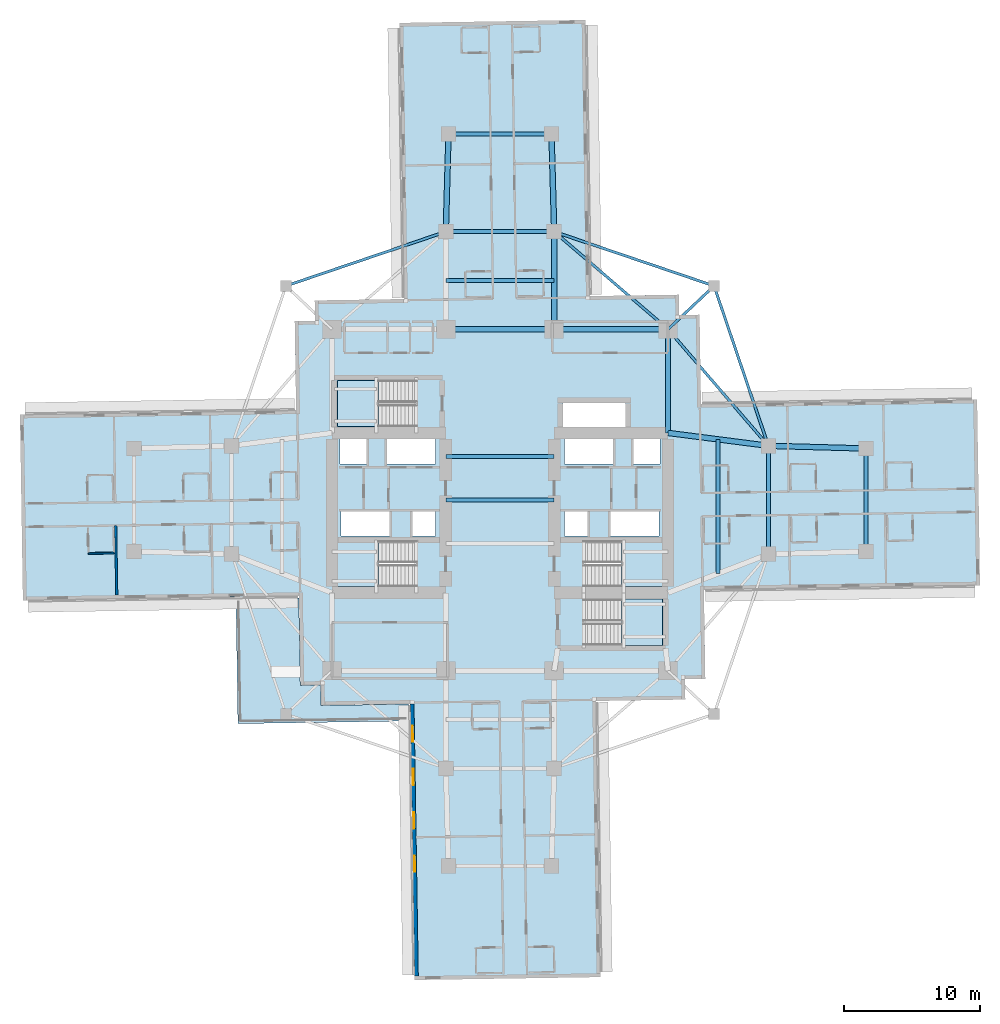
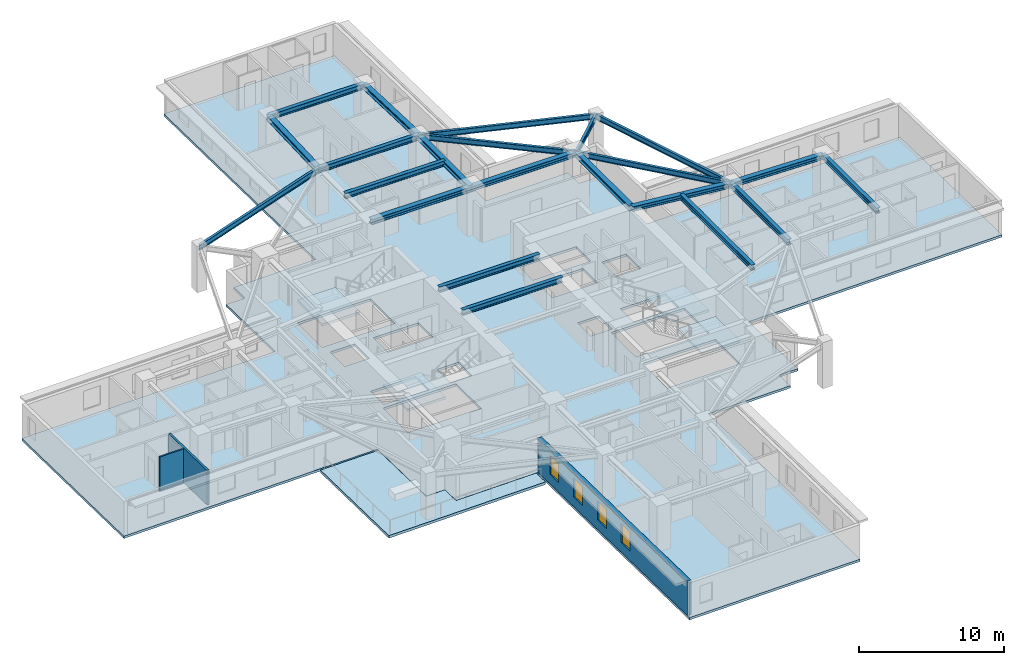
# One storey, part 2 of 14: 22 beams, 6 slabs, 4 windows, 3 walls, 4 openings, 4 elements without a shape of their own.
"""IFC4 building model written with IfcOpenShell, lengths in metres."""

from ifc_helpers import new_model, si_unit, direction, frame, frame_2d, origin, origin_2d, place, context, subcontext, project, spatial, polyline, rectangle, i_section, outline, extrude, material, layer, layer_set, material_profile, profile_set, type_object, element, fill, aggregate, save


model = new_model("IFC4")

# Units and contexts
model_context = context("Model", 3, precision=1e-05, world=origin(), true_north=direction((0.0, 1.0)))
body_context = subcontext(model_context, "Body", "Model", "MODEL_VIEW")
ifc_project = project(units=[si_unit("LENGTHUNIT", "METRE"), si_unit("AREAUNIT", "SQUARE_METRE"), si_unit("VOLUMEUNIT", "CUBIC_METRE"), si_unit("PLANEANGLEUNIT", "RADIAN"), si_unit("MASSUNIT", "GRAM", prefix="KILO")], contexts=[model_context])

# Site, building, storey
site_placement = place(None, origin())
site = spatial("IfcSite", under=ifc_project, at=site_placement, CompositionType="ELEMENT")
building_placement = place(site_placement, origin())
building = spatial("IfcBuilding", under=site, at=building_placement, Name="Qingluan Cross Belvedere", CompositionType="ELEMENT")
storey_placement = place(building_placement, frame((0.0, 0.0, 60.0)))
storey = spatial("IfcBuildingStorey", under=building, at=storey_placement, Name="L15", CompositionType="ELEMENT", Elevation=60.0)

# Beams
ifc_material_1 = material(Name="Steel Q420GJB", Category="steel")
ifc_material_profile_1 = material_profile(ifc_material_1, i_section(OverallWidth=0.300048828125, OverallDepth=0.43994140625, WebThickness=0.010986328125, FlangeThickness=0.01806640625, FilletRadius=0.02001953125, at=origin_2d()), Name="HM440x300x11x18")
ifc_profile_set_1 = profile_set([ifc_material_profile_1], Name="Steel Q420GJB")
beam_type_1 = type_object("IfcBeamType", Name="Steel_Beam_HM440x300x11x18", PredefinedType="BEAM", material=ifc_profile_set_1)
for number, where, z_axis, x_axis, name in (
    (1, (-4.0, 0.0, 3.47998046875), (1.0, 0.0, 0.0), (0.0, 1.0, 0.0), "Hall beam L15-CH2"),
    (2, (-4.0, 3.199951171875, 3.47998046875), (1.0, 0.0, 0.0), (0.0, 1.0, 0.0), "Hall beam L15-CH3"),
    (3, (19.800048828125, -4.0, 3.47998046875), (0.0, 1.0, 0.0), (-1.0, 0.0, 0.0), "Arm E tie L15"),
):
    element("IfcBeam", number, at=place(storey_placement, frame(where, z_axis=z_axis, x_axis=x_axis)), inside=storey, type_object=beam_type_1, Name=name, PredefinedType="BEAM", context=body_context, shape_type="SweptSolid", body=[
        extrude(i_section(OverallWidth=0.300048828125, OverallDepth=0.43994140625, WebThickness=0.010986328125, FlangeThickness=0.01806640625, FilletRadius=0.02001953125, at=origin_2d()), origin(), (0.0, 0.0, 1.0), 8.0),
    ])
beam_1_placement = place(storey_placement, frame((16.10009765625, -5.425048828125, 3.47998046875), z_axis=(0.0, 1.0, 0.0), x_axis=(-1.0, 0.0, 0.0)))
element("IfcBeam", 4, at=beam_1_placement, inside=storey, type_object=beam_type_1, Name="Arm E beam L15", PredefinedType="BEAM", context=body_context, shape_type="SweptSolid", body=[
    extrude(i_section(OverallWidth=0.300048828125, OverallDepth=0.43994140625, WebThickness=0.010986328125, FlangeThickness=0.01806640625, FilletRadius=0.02001953125, at=origin_2d()), origin(), (0.0, 0.0, 1.0), 9.900146484375),
])
beam_2_placement = place(storey_placement, frame((27.0, -3.800048828125, 3.47998046875), z_axis=(0.0, 1.0, 0.0), x_axis=(-1.0, 0.0, 0.0)))
element("IfcBeam", 5, at=beam_2_placement, inside=storey, type_object=beam_type_1, Name="Arm E tip transverse beam L15", PredefinedType="BEAM", context=body_context, shape_type="SweptSolid", body=[
    extrude(i_section(OverallWidth=0.300048828125, OverallDepth=0.43994140625, WebThickness=0.010986328125, FlangeThickness=0.01806640625, FilletRadius=0.02001953125, at=origin_2d()), origin(), (0.0, 0.0, 1.0), 7.60009765625),
])
for number, where, z_axis, x_axis, name in (
    (6, (-4.0, 19.800048828125, 3.47998046875), (1.0, 0.0, 0.0), (0.0, 1.0, 0.0), "Arm N tie L15"),
    (7, (-4.0, 16.199951171875, 3.47998046875), (1.0, 0.0, 0.0), (0.0, 1.0, 0.0), "Arm N beam L15"),
):
    element("IfcBeam", number, at=place(storey_placement, frame(where, z_axis=z_axis, x_axis=x_axis)), inside=storey, type_object=beam_type_1, Name=name, PredefinedType="BEAM", context=body_context, shape_type="SweptSolid", body=[
        extrude(i_section(OverallWidth=0.300048828125, OverallDepth=0.43994140625, WebThickness=0.010986328125, FlangeThickness=0.01806640625, FilletRadius=0.02001953125, at=origin_2d()), origin(), (0.0, 0.0, 1.0), 8.0),
    ])
beam_3_placement = place(storey_placement, frame((-3.800048828125, 27.0, 3.47998046875), z_axis=(1.0, 0.0, 0.0), x_axis=(0.0, 1.0, 0.0)))
element("IfcBeam", 8, at=beam_3_placement, inside=storey, type_object=beam_type_1, Name="Arm N tip transverse beam L15", PredefinedType="BEAM", context=body_context, shape_type="SweptSolid", body=[
    extrude(i_section(OverallWidth=0.300048828125, OverallDepth=0.43994140625, WebThickness=0.010986328125, FlangeThickness=0.01806640625, FilletRadius=0.02001953125, at=origin_2d()), origin(), (0.0, 0.0, 1.0), 7.60009765625),
])
ifc_material_2 = material(Name="Steel Q420GJB", Category="steel")
ifc_material_profile_2 = material_profile(ifc_material_2, i_section(OverallWidth=0.199951171875, OverallDepth=0.449951171875, WebThickness=0.009033203125, FlangeThickness=0.013916015625, FilletRadius=0.01611328125, at=origin_2d()), Name="HN450x200x9x14")
ifc_profile_set_2 = profile_set([ifc_material_profile_2], Name="Steel Q420GJB")
beam_type_2 = type_object("IfcBeamType", Name="Steel_Beam_HN450x200x9x14", PredefinedType="JOIST", material=ifc_profile_set_2)
beam_4_placement = place(storey_placement, frame((12.39990234375, 12.60009765625, 3.47509765625), z_axis=(0.728219948308, 0.685343495546, 0.0), x_axis=(-0.685343495546, 0.728219948308, 0.0)))
element("IfcBeam", 9, at=beam_4_placement, inside=storey, type_object=beam_type_2, Name="Corner beam 1 L15-RNE", PredefinedType="JOIST", context=body_context, shape_type="SweptSolid", body=[
    extrude(i_section(OverallWidth=0.199951171875, OverallDepth=0.449951171875, WebThickness=0.009033203125, FlangeThickness=0.013916015625, FilletRadius=0.01611328125, at=origin_2d()), origin(), (0.0, 0.0, 1.0), 4.669189453125),
])
for number, where, z_axis, x_axis, name in (
    (10, (15.800048828125, 15.800048828125, 3.47509765625), (-0.947066283324, 0.321038089628, 0.0), (-0.321038089628, -0.947066283324, 0.0), "Corner beam 2 L15-RNE"),
    (11, (15.800048828125, 15.800048828125, 3.47509765625), (0.321038089628, -0.947066283324, 0.0), (0.947066283324, 0.321038089628, 0.0), "Corner beam 3 L15-RNE"),
):
    element("IfcBeam", number, at=place(storey_placement, frame(where, z_axis=z_axis, x_axis=x_axis)), inside=storey, type_object=beam_type_2, Name=name, PredefinedType="JOIST", context=body_context, shape_type="SweptSolid", body=[
        extrude(i_section(OverallWidth=0.199951171875, OverallDepth=0.449951171875, WebThickness=0.009033203125, FlangeThickness=0.013916015625, FilletRadius=0.01611328125, at=origin_2d()), origin(), (0.0, 0.0, 1.0), 12.45947265625),
    ])
beam_5_placement = place(storey_placement, frame((12.39990234375, 12.60009765625, 3.47509765625), z_axis=(0.652245077546, -0.75800815221, 0.0), x_axis=(0.75800815221, 0.652245077546, 0.0)))
element("IfcBeam", 12, at=beam_5_placement, inside=storey, type_object=beam_type_2, Name="Corner beam 4 L15-RNE", PredefinedType="JOIST", context=body_context, shape_type="SweptSolid", body=[
    extrude(i_section(OverallWidth=0.199951171875, OverallDepth=0.449951171875, WebThickness=0.009033203125, FlangeThickness=0.013916015625, FilletRadius=0.01611328125, at=origin_2d()), origin(), (0.0, 0.0, 1.0), 11.345703125),
])
beam_6_placement = place(storey_placement, frame((12.39990234375, 12.60009765625, 3.47509765625), z_axis=(-0.759255044656, 0.650793190779, 0.0), x_axis=(-0.650793190779, -0.759255044656, 0.0)))
element("IfcBeam", 13, at=beam_6_placement, inside=storey, type_object=beam_type_2, Name="Corner beam 5 L15-RNE", PredefinedType="JOIST", context=body_context, shape_type="SweptSolid", body=[
    extrude(i_section(OverallWidth=0.199951171875, OverallDepth=0.449951171875, WebThickness=0.009033203125, FlangeThickness=0.013916015625, FilletRadius=0.01611328125, at=origin_2d()), origin(), (0.0, 0.0, 1.0), 11.063232421875),
])
beam_7_placement = place(storey_placement, frame((-15.800048828125, 15.800048828125, 3.47509765625), z_axis=(0.947066283324, 0.321038089628, 0.0), x_axis=(-0.321038089628, 0.947066283324, 0.0)))
element("IfcBeam", 14, at=beam_7_placement, inside=storey, type_object=beam_type_2, Name="Corner beam 2 L15-RNW", PredefinedType="JOIST", context=body_context, shape_type="SweptSolid", body=[
    extrude(i_section(OverallWidth=0.199951171875, OverallDepth=0.449951171875, WebThickness=0.009033203125, FlangeThickness=0.013916015625, FilletRadius=0.01611328125, at=origin_2d()), origin(), (0.0, 0.0, 1.0), 12.45947265625),
])
ifc_material_3 = material(Name="Steel Q420GJB", Category="steel")
ifc_material_profile_3 = material_profile(ifc_material_3, i_section(OverallWidth=0.39990234375, OverallDepth=0.39990234375, WebThickness=0.012939453125, FlangeThickness=0.02099609375, FilletRadius=0.02197265625, at=origin_2d()), Name="HW400x400x13x21")
ifc_profile_set_3 = profile_set([ifc_material_profile_3], Name="Steel Q420GJB")
beam_type_3 = type_object("IfcBeamType", Name="Steel_Girder_HW400x400x13x21", PredefinedType="USERDEFINED", material=ifc_profile_set_3)
beam_8_placement = place(storey_placement, frame((-4.0, 12.60009765625, 3.5), z_axis=(1.0, 0.0, 0.0), x_axis=(0.0, 1.0, 0.0)))
element("IfcBeam", 15, at=beam_8_placement, inside=storey, type_object=beam_type_3, Name="Hub girder L15-HG-N2", ObjectType="GIRDER", PredefinedType="USERDEFINED", context=body_context, shape_type="SweptSolid", body=[
    extrude(i_section(OverallWidth=0.39990234375, OverallDepth=0.39990234375, WebThickness=0.012939453125, FlangeThickness=0.02099609375, FilletRadius=0.02197265625, at=origin_2d()), origin(), (0.0, 0.0, 1.0), 8.0),
])
beam_9_placement = place(storey_placement, frame((4.0, 12.60009765625, 3.5), z_axis=(1.0, 0.0, 0.0), x_axis=(0.0, 1.0, 0.0)))
element("IfcBeam", 16, at=beam_9_placement, inside=storey, type_object=beam_type_3, Name="Hub girder L15-HG-N3", ObjectType="GIRDER", PredefinedType="USERDEFINED", context=body_context, shape_type="SweptSolid", body=[
    extrude(i_section(OverallWidth=0.39990234375, OverallDepth=0.39990234375, WebThickness=0.012939453125, FlangeThickness=0.02099609375, FilletRadius=0.02197265625, at=origin_2d()), origin(), (0.0, 0.0, 1.0), 8.39990234375),
])
beam_10_placement = place(storey_placement, frame((12.39990234375, 4.949951171875, 3.5), z_axis=(0.0, 1.0, 0.0), x_axis=(-1.0, 0.0, 0.0)))
element("IfcBeam", 17, at=beam_10_placement, inside=storey, type_object=beam_type_3, Name="Hub girder L15-HG-E2", ObjectType="GIRDER", PredefinedType="USERDEFINED", context=body_context, shape_type="SweptSolid", body=[
    extrude(i_section(OverallWidth=0.39990234375, OverallDepth=0.39990234375, WebThickness=0.012939453125, FlangeThickness=0.02099609375, FilletRadius=0.02197265625, at=origin_2d()), origin(), (0.0, 0.0, 1.0), 7.650146484375),
])
beam_11_placement = place(storey_placement, frame((12.39990234375, 4.949951171875, 3.5), z_axis=(0.991861120628, -0.12732445714, 0.0), x_axis=(0.12732445714, 0.991861120628, 0.0)))
element("IfcBeam", 18, at=beam_11_placement, inside=storey, type_object=beam_type_3, Name="Arm E radial girder B L15", ObjectType="GIRDER", PredefinedType="USERDEFINED", context=body_context, shape_type="SweptSolid", body=[
    extrude(i_section(OverallWidth=0.39990234375, OverallDepth=0.39990234375, WebThickness=0.012939453125, FlangeThickness=0.02099609375, FilletRadius=0.02197265625, at=origin_2d()), origin(), (0.0, 0.0, 1.0), 7.4609375),
])
beam_12_placement = place(storey_placement, frame((19.800048828125, 4.0, 3.5), z_axis=(0.999614603568, -0.027760481514, 0.0), x_axis=(0.027760481514, 0.999614603568, 0.0)))
element("IfcBeam", 19, at=beam_12_placement, inside=storey, type_object=beam_type_3, Name="Arm E outer radial girder B L15", ObjectType="GIRDER", PredefinedType="USERDEFINED", context=body_context, shape_type="SweptSolid", body=[
    extrude(i_section(OverallWidth=0.39990234375, OverallDepth=0.39990234375, WebThickness=0.012939453125, FlangeThickness=0.02099609375, FilletRadius=0.02197265625, at=origin_2d()), origin(), (0.0, 0.0, 1.0), 7.20263671875),
])
beam_13_placement = place(storey_placement, frame((4.0, 12.60009765625, 3.5), z_axis=(0.0, 1.0, 0.0), x_axis=(-1.0, 0.0, 0.0)))
element("IfcBeam", 20, at=beam_13_placement, inside=storey, type_object=beam_type_3, Name="Arm N radial girder B L15", ObjectType="GIRDER", PredefinedType="USERDEFINED", context=body_context, shape_type="SweptSolid", body=[
    extrude(i_section(OverallWidth=0.39990234375, OverallDepth=0.39990234375, WebThickness=0.012939453125, FlangeThickness=0.02099609375, FilletRadius=0.02197265625, at=origin_2d()), origin(), (0.0, 0.0, 1.0), 7.199951171875),
])
for number, where, z_axis, x_axis, name in (
    (21, (-4.0, 19.800048828125, 3.5), (0.027760481514, 0.999614603568, 0.0), (-0.999614603568, 0.027760481514, 0.0), "Arm N outer radial girder A L15"),
    (22, (4.0, 19.800048828125, 3.5), (-0.027760481514, 0.999614603568, 0.0), (-0.999614603568, -0.027760481514, 0.0), "Arm N outer radial girder B L15"),
):
    element("IfcBeam", number, at=place(storey_placement, frame(where, z_axis=z_axis, x_axis=x_axis)), inside=storey, type_object=beam_type_3, Name=name, ObjectType="GIRDER", PredefinedType="USERDEFINED", context=body_context, shape_type="SweptSolid", body=[
        extrude(i_section(OverallWidth=0.39990234375, OverallDepth=0.39990234375, WebThickness=0.012939453125, FlangeThickness=0.02099609375, FilletRadius=0.02197265625, at=origin_2d()), origin(), (0.0, 0.0, 1.0), 7.20263671875),
    ])

# Slab
ifc_material_4 = material(Name="Concrete C40", Category="concrete")
ifc_layer_1 = layer(ifc_material_4, 0.199951171875, Name="FloorSlab_200")
ifc_layer_set_1 = layer_set([ifc_layer_1], Name="Concrete C40")
slab_type_1 = type_object("IfcSlabType", Name="FloorSlab_200", PredefinedType="FLOOR", material=ifc_layer_set_1)
slab_1_placement = place(storey_placement, frame((0.0, 0.0, -0.199951171875)))
element("IfcSlab", 23, at=slab_1_placement, inside=storey, type_object=slab_type_1, Name="Structural floor slab L15", PredefinedType="FLOOR", context=body_context, shape_type="SweptSolid", body=[
    extrude(outline(polyline([(7.413818359375, -35.2080078125), (7.09375, -14.830322265625), (13.673095703125, -14.72705078125), (13.6494140625, -13.227294921875), (15.1494140625, -13.20361328125), (15.0458984375, -6.62451171875), (35.42333984375, -6.304443359375), (35.2080078125, 7.413818359375), (14.830322265625, 7.09375), (14.72705078125, 13.673095703125), (13.227294921875, 13.6494140625), (13.20361328125, 15.1494140625), (6.62451171875, 15.0458984375), (6.304443359375, 35.42333984375), (-7.413818359375, 35.2080078125), (-7.09375, 14.830322265625), (-13.673095703125, 14.72705078125), (-13.6494140625, 13.227294921875), (-15.1494140625, 13.20361328125), (-15.0458984375, 6.62451171875), (-35.42333984375, 6.304443359375), (-35.2080078125, -7.413818359375), (-14.830322265625, -7.09375), (-14.72705078125, -13.673095703125), (-13.227294921875, -13.6494140625), (-13.20361328125, -15.1494140625), (-6.62451171875, -15.0458984375), (-6.304443359375, -35.42333984375), (7.413818359375, -35.2080078125)]), holes=[polyline([(-12.0, -3.0), (-6.179931640625, -3.0), (-6.179931640625, -6.39990234375), (-12.0, -6.39990234375), (-12.0, -3.0)]), polyline([(6.179931640625, -3.0), (12.0, -3.0), (12.0, -6.39990234375), (6.179931640625, -6.39990234375), (6.179931640625, -3.0)]), polyline([(-12.0, 8.820068359375), (-6.179931640625, 8.820068359375), (-6.179931640625, 5.419921875), (-12.0, 5.419921875), (-12.0, 8.820068359375)]), polyline([(6.179931640625, -7.320068359375), (12.0, -7.320068359375), (12.0, -10.719970703125), (6.179931640625, -10.719970703125), (6.179931640625, -7.320068359375)]), polyline([(-11.800048828125, 4.64990234375), (-9.85009765625, 4.64990234375), (-9.85009765625, 2.64990234375), (-11.800048828125, 2.64990234375), (-11.800048828125, 4.64990234375)]), polyline([(-8.35009765625, 4.64990234375), (-4.75, 4.64990234375), (-4.75, 2.64990234375), (-8.35009765625, 2.64990234375), (-8.35009765625, 4.64990234375)]), polyline([(4.75, 4.64990234375), (8.35009765625, 4.64990234375), (8.35009765625, 2.64990234375), (4.75, 2.64990234375), (4.75, 4.64990234375)]), polyline([(9.85009765625, 4.64990234375), (11.800048828125, 4.64990234375), (11.800048828125, 2.64990234375), (9.85009765625, 2.64990234375), (9.85009765625, 4.64990234375)]), polyline([(-11.75, -0.840087890625), (-8.14990234375, -0.840087890625), (-8.14990234375, -2.659912109375), (-11.75, -2.659912109375), (-11.75, -0.840087890625)]), polyline([(-6.449951171875, -0.840087890625), (-4.75, -0.840087890625), (-4.75, -2.659912109375), (-6.449951171875, -2.659912109375), (-6.449951171875, -0.840087890625)]), polyline([(4.75, -0.840087890625), (6.449951171875, -0.840087890625), (6.449951171875, -2.659912109375), (4.75, -2.659912109375), (4.75, -0.840087890625)]), polyline([(8.14990234375, -0.840087890625), (11.75, -0.840087890625), (11.75, -2.659912109375), (8.14990234375, -2.659912109375), (8.14990234375, -0.840087890625)]), polyline([(4.64990234375, 7.14990234375), (9.25, 7.14990234375), (9.25, 5.14990234375), (4.64990234375, 5.14990234375), (4.64990234375, 7.14990234375)])]), origin(), (0.0, 0.0, 1.0), 0.199951171875),
])

# Stair, slab
ifc_material_5 = material(Name="Concrete C40", Category="concrete")
stair_type = type_object("IfcStairType", Name="CoreDoglegStair_1620", PredefinedType="HALF_TURN_STAIR", material=ifc_material_5)
stair_1_placement = place(storey_placement, origin())
stair_1 = element("IfcStair", 24, at=stair_1_placement, inside=storey, type_object=stair_type, Name="L15 ST1", PredefinedType="HALF_TURN_STAIR")
ifc_material_6 = material(Name="Concrete C40", Category="concrete")
ifc_layer_2 = layer(ifc_material_6, 0.179931640625, Name="StairLandingSlab_180")
ifc_layer_set_2 = layer_set([ifc_layer_2], Name="Concrete C40")
slab_type_2 = type_object("IfcSlabType", Name="StairLandingSlab_180", PredefinedType="LANDING", material=ifc_layer_set_2)
slab_2_placement = place(storey_placement, frame((0.0, 0.0, 1.75)))
slab_2 = element("IfcSlab", 25, at=slab_2_placement, type_object=slab_type_2, Name="ST1 landing 1", PredefinedType="LANDING", context=body_context, shape_type="SweptSolid", body=[
    extrude(outline(polyline([(-8.97998046875, -3.0), (-12.0, -3.0), (-12.0, -6.39990234375), (-8.97998046875, -6.39990234375), (-8.97998046875, -3.0)])), origin(), (0.0, 0.0, 1.0), 0.199951171875),
])
aggregate(stair_1, [slab_2])

stair_2_placement = place(storey_placement, origin())
stair_2 = element("IfcStair", 26, at=stair_2_placement, inside=storey, type_object=stair_type, Name="L15 ST2", PredefinedType="HALF_TURN_STAIR")
slab_3_placement = place(storey_placement, frame((0.0, 0.0, 1.75)))
slab_3 = element("IfcSlab", 27, at=slab_3_placement, type_object=slab_type_2, Name="ST2 landing 1", PredefinedType="LANDING", context=body_context, shape_type="SweptSolid", body=[
    extrude(outline(polyline([(8.97998046875, -6.39990234375), (12.0, -6.39990234375), (12.0, -3.0), (8.97998046875, -3.0), (8.97998046875, -6.39990234375)])), origin(), (0.0, 0.0, 1.0), 0.199951171875),
])
aggregate(stair_2, [slab_3])

stair_3_placement = place(storey_placement, origin())
stair_3 = element("IfcStair", 28, at=stair_3_placement, inside=storey, type_object=stair_type, Name="L15 ST3", PredefinedType="HALF_TURN_STAIR")
slab_4_placement = place(storey_placement, frame((0.0, 0.0, 1.75)))
slab_4 = element("IfcSlab", 29, at=slab_4_placement, type_object=slab_type_2, Name="ST3 landing 1", PredefinedType="LANDING", context=body_context, shape_type="SweptSolid", body=[
    extrude(outline(polyline([(-8.97998046875, 8.820068359375), (-12.0, 8.820068359375), (-12.0, 5.419921875), (-8.97998046875, 5.419921875), (-8.97998046875, 8.820068359375)])), origin(), (0.0, 0.0, 1.0), 0.199951171875),
])
aggregate(stair_3, [slab_4])

stair_4_placement = place(storey_placement, origin())
stair_4 = element("IfcStair", 30, at=stair_4_placement, inside=storey, type_object=stair_type, Name="L15 ST4", PredefinedType="HALF_TURN_STAIR")
slab_5_placement = place(storey_placement, frame((0.0, 0.0, 1.75)))
slab_5 = element("IfcSlab", 31, at=slab_5_placement, type_object=slab_type_2, Name="ST4 landing 1", PredefinedType="LANDING", context=body_context, shape_type="SweptSolid", body=[
    extrude(outline(polyline([(8.97998046875, -10.719970703125), (12.0, -10.719970703125), (12.0, -7.320068359375), (8.97998046875, -7.320068359375), (8.97998046875, -10.719970703125)])), origin(), (0.0, 0.0, 1.0), 0.199951171875),
])
aggregate(stair_4, [slab_5])

# Slab
ifc_material_7 = material(Name="Concrete C40", Category="concrete")
ifc_layer_3 = layer(ifc_material_7, 0.219970703125, Name="TerraceSlab_220")
ifc_layer_set_3 = layer_set([ifc_layer_3], Name="Concrete C40")
slab_type_3 = type_object("IfcSlabType", Name="TerraceSlab_220", PredefinedType="FLOOR", material=ifc_layer_set_3)
slab_6_placement = place(storey_placement, frame((0.0, 0.0, -0.219970703125)))
element("IfcSlab", 32, at=slab_6_placement, inside=storey, type_object=slab_type_3, Name="Spiralling winter-garden terrace slab L15", PredefinedType="FLOOR", context=body_context, shape_type="SweptSolid", body=[
    extrude(outline(polyline([(-6.764404296875, -15.05810546875), (-13.208984375, -15.15771484375), (-13.237060546875, -13.65966796875), (-14.726806640625, -13.68310546875), (-14.73681640625, -13.675048828125), (-14.838134765625, -7.23388671875), (-19.487548828125, -7.306884765625), (-19.343017578125, -16.505859375), (-6.74462890625, -16.30810546875), (-6.764404296875, -15.05810546875)])), origin(), (0.0, 0.0, 1.0), 0.219970703125),
])

# Walls
ifc_material_8 = material(Name="Gypsum plasterboard on steel stud acoustic partition", Category="steel")
ifc_layer_4 = layer(ifc_material_8, 0.159912109375, Name="CorridorPartition_160")
ifc_layer_set_4 = layer_set([ifc_layer_4], Name="Gypsum plasterboard on steel stud acoustic partition")
wall_type_1 = type_object("IfcWallType", Name="CorridorPartition_160", PredefinedType="PARTITIONING", material=ifc_layer_set_4)
wall_1_placement = place(storey_placement, frame((-28.364013671875, -1.8857421875, 0.0), z_axis=(0.0, 0.0, 1.0), x_axis=(0.015746453592, -0.999876016914, 0.0)))
element("IfcWall", 33, at=wall_1_placement, inside=storey, type_object=wall_type_1, Name="Partition L15:W:d1_1", PredefinedType="PARTITIONING", context=body_context, shape_type="SweptSolid", body=[
    extrude(rectangle(XDim=5.132080078125, YDim=0.159912109375, at=frame_2d((2.56591796875, 0.0))), origin(), (0.0, 0.0, 1.0), 2.89990234375),
])
ifc_material_9 = material(Name="Moisture-resistant gypsum board lining")
ifc_layer_5 = layer(ifc_material_9, 0.1201171875, Name="EnsuiteWetPartition_120")
ifc_layer_set_5 = layer_set([ifc_layer_5], Name="Moisture-resistant gypsum board lining")
wall_type_2 = type_object("IfcWallType", Name="EnsuiteWetPartition_120", PredefinedType="PARTITIONING", material=ifc_layer_set_5)
wall_2_placement = place(storey_placement, frame((-28.4921875, -3.9130859375, 0.0), z_axis=(0.0, 0.0, 1.0), x_axis=(-0.999878553575, -0.01558454688, 0.0)))
element("IfcWall", 34, at=wall_2_placement, inside=storey, type_object=wall_type_2, Name="Partition L15:W:bc1_2", PredefinedType="PARTITIONING", context=body_context, shape_type="SweptSolid", body=[
    extrude(rectangle(XDim=1.8798828125, YDim=0.1201171875, at=frame_2d((0.93994140625, 0.0))), origin(), (0.0, 0.0, 1.0), 2.89990234375),
])

# Wall, openings, windows
ifc_material_10 = material(Name="Precast concrete C45", Category="concrete")
ifc_layer_6 = layer(ifc_material_10, 0.280029296875, Name="PrecastFacadeWall_280")
ifc_layer_set_6 = layer_set([ifc_layer_6], Name="Precast concrete C45")
wall_type_3 = type_object("IfcWallType", Name="PrecastFacadeWall_280", PredefinedType="STANDARD", material=ifc_layer_set_6)
wall_3_placement = place(storey_placement, frame((-6.484619140625, -15.043701171875, 0.0), z_axis=(0.0, 0.0, 1.0), x_axis=(0.01571739401, -0.999876474133, 0.0)))
wall_3 = element("IfcWall", 35, at=wall_3_placement, inside=storey, type_object=wall_type_3, Name="Facade wall L15-SA", PredefinedType="STANDARD", context=body_context, shape_type="SweptSolid", body=[
    extrude(rectangle(XDim=20.099853515625, YDim=0.280029296875, at=frame_2d((10.0498046875, 0.0))), origin(), (0.0, 0.0, 1.0), 2.909912109375),
])
opening_1_placement = place(wall_3_placement, frame((1.60009765625, 0.0, 0.800048828125)))
opening_1 = element("IfcOpeningElement", 36, at=opening_1_placement, cuts=wall_3, Name="Opening W-02", PredefinedType="OPENING", context=body_context, shape_type="SweptSolid", body=[
    extrude(rectangle(XDim=1.199951171875, YDim=1.60009765625, at=frame_2d((0.60009765625, 0.800048828125))), frame((0.0, 0.14990234375, 0.0), z_axis=(0.0, -1.0, 0.0), x_axis=(1.0, 0.0, 0.0)), (0.0, 0.0, 1.0), 0.300048828125),
])
opening_2_placement = place(wall_3_placement, frame((4.800048828125, 0.0, 0.800048828125)))
opening_2 = element("IfcOpeningElement", 37, at=opening_2_placement, cuts=wall_3, Name="Opening W-02", PredefinedType="OPENING", context=body_context, shape_type="SweptSolid", body=[
    extrude(rectangle(XDim=1.199951171875, YDim=1.60009765625, at=frame_2d((0.60009765625, 0.800048828125))), frame((0.0, 0.14990234375, 0.0), z_axis=(0.0, -1.0, 0.0), x_axis=(1.0, 0.0, 0.0)), (0.0, 0.0, 1.0), 0.300048828125),
])
opening_3_placement = place(wall_3_placement, frame((8.0, 0.0, 0.800048828125)))
opening_3 = element("IfcOpeningElement", 38, at=opening_3_placement, cuts=wall_3, Name="Opening W-02", PredefinedType="OPENING", context=body_context, shape_type="SweptSolid", body=[
    extrude(rectangle(XDim=1.199951171875, YDim=1.60009765625, at=frame_2d((0.60009765625, 0.800048828125))), frame((0.0, 0.14990234375, 0.0), z_axis=(0.0, -1.0, 0.0), x_axis=(1.0, 0.0, 0.0)), (0.0, 0.0, 1.0), 0.300048828125),
])
opening_4_placement = place(wall_3_placement, frame((11.199951171875, 0.0, 0.800048828125)))
opening_4 = element("IfcOpeningElement", 39, at=opening_4_placement, cuts=wall_3, Name="Opening W-02", PredefinedType="OPENING", context=body_context, shape_type="SweptSolid", body=[
    extrude(rectangle(XDim=1.199951171875, YDim=1.60009765625, at=frame_2d((0.60009765625, 0.800048828125))), frame((0.0, 0.14990234375, 0.0), z_axis=(0.0, -1.0, 0.0), x_axis=(1.0, 0.0, 0.0)), (0.0, 0.0, 1.0), 0.300048828125),
])
ifc_material_11 = material(Name="Thermally broken triple Low-E glass in aluminium frame", Category="aluminium")
window_type = type_object("IfcWindowType", Name="TriRibbonWin_1200x1600", PartitioningType="SINGLE_PANEL", PredefinedType="WINDOW", material=ifc_material_11)
window_1_placement = place(opening_1_placement, origin())
window_1 = element("IfcWindow", 40, at=window_1_placement, inside=storey, type_object=window_type, Name="Ribbon window L15-SA-1", OverallHeight=1.60009765625, OverallWidth=1.199951171875, PartitioningType="SINGLE_PANEL", PredefinedType="WINDOW", context=body_context, shape_type="SweptSolid", body=[
    extrude(rectangle(XDim=1.199951171875, YDim=1.60009765625, at=frame_2d((0.60009765625, 0.800048828125))), frame((0.0, 0.030029296875, 0.0), z_axis=(0.0, -1.0, 0.0), x_axis=(1.0, 0.0, 0.0)), (0.0, 0.0, 1.0), 0.06005859375),
])
fill(opening_1, window_1)
window_2_placement = place(opening_2_placement, origin())
window_2 = element("IfcWindow", 41, at=window_2_placement, inside=storey, type_object=window_type, Name="Ribbon window L15-SA-2", OverallHeight=1.60009765625, OverallWidth=1.199951171875, PartitioningType="SINGLE_PANEL", PredefinedType="WINDOW", context=body_context, shape_type="SweptSolid", body=[
    extrude(rectangle(XDim=1.199951171875, YDim=1.60009765625, at=frame_2d((0.60009765625, 0.800048828125))), frame((0.0, 0.030029296875, 0.0), z_axis=(0.0, -1.0, 0.0), x_axis=(1.0, 0.0, 0.0)), (0.0, 0.0, 1.0), 0.06005859375),
])
fill(opening_2, window_2)
window_3_placement = place(opening_3_placement, origin())
window_3 = element("IfcWindow", 42, at=window_3_placement, inside=storey, type_object=window_type, Name="Ribbon window L15-SA-3", OverallHeight=1.60009765625, OverallWidth=1.199951171875, PartitioningType="SINGLE_PANEL", PredefinedType="WINDOW", context=body_context, shape_type="SweptSolid", body=[
    extrude(rectangle(XDim=1.199951171875, YDim=1.60009765625, at=frame_2d((0.60009765625, 0.800048828125))), frame((0.0, 0.030029296875, 0.0), z_axis=(0.0, -1.0, 0.0), x_axis=(1.0, 0.0, 0.0)), (0.0, 0.0, 1.0), 0.06005859375),
])
fill(opening_3, window_3)
window_4_placement = place(opening_4_placement, origin())
window_4 = element("IfcWindow", 43, at=window_4_placement, inside=storey, type_object=window_type, Name="Ribbon window L15-SA-4", OverallHeight=1.60009765625, OverallWidth=1.199951171875, PartitioningType="SINGLE_PANEL", PredefinedType="WINDOW", context=body_context, shape_type="SweptSolid", body=[
    extrude(rectangle(XDim=1.199951171875, YDim=1.60009765625, at=frame_2d((0.60009765625, 0.800048828125))), frame((0.0, 0.030029296875, 0.0), z_axis=(0.0, -1.0, 0.0), x_axis=(1.0, 0.0, 0.0)), (0.0, 0.0, 1.0), 0.06005859375),
])
fill(opening_4, window_4)

save(model, "model.ifc")
